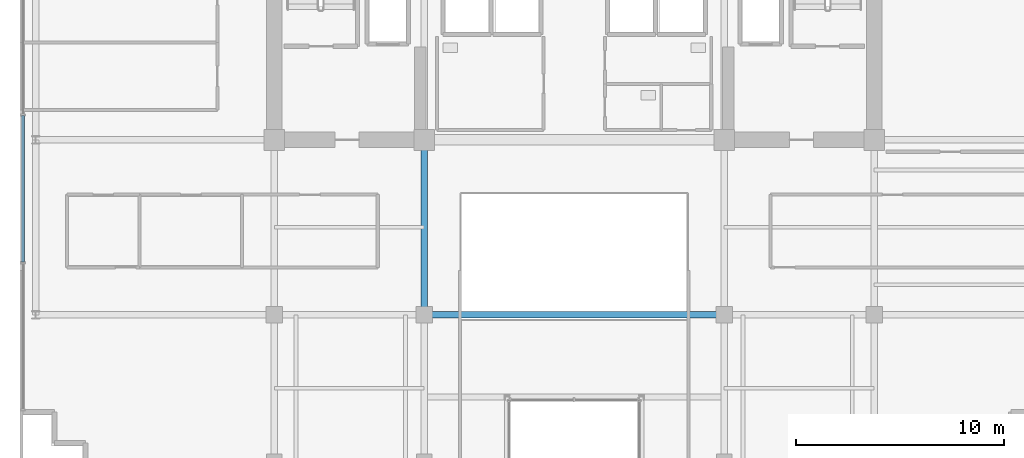
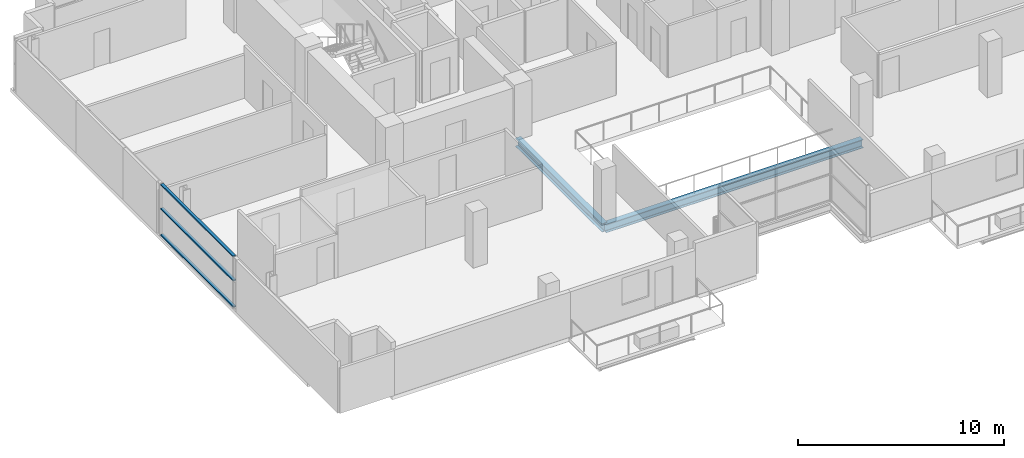
# One storey, part 8 of 25: 3 members, 2 beams, 1 element without a shape of its own.
"""IFC4 building model written with IfcOpenShell, lengths in metres."""

from ifc_helpers import new_model, si_unit, direction, frame, origin, origin_2d, place, context, subcontext, project, spatial, hollow_rectangle, i_section, extrude, source, transform, mapped, material, layer, layer_set, material_profile, profile_set, type_object, element, aggregate, save


model = new_model("IFC4")

# Units and contexts
model_context = context("Model", 3, precision=1e-05, world=origin(), true_north=direction((0.0, 1.0)))
body_context = subcontext(model_context, "Body", "Model", "MODEL_VIEW")
ifc_project = project(units=[si_unit("LENGTHUNIT", "METRE"), si_unit("AREAUNIT", "SQUARE_METRE"), si_unit("VOLUMEUNIT", "CUBIC_METRE"), si_unit("PLANEANGLEUNIT", "RADIAN"), si_unit("MASSUNIT", "GRAM", prefix="KILO")], contexts=[model_context])

# Site, building, storey
site_placement = place(None, origin())
site = spatial("IfcSite", under=ifc_project, at=site_placement, CompositionType="ELEMENT")
building_placement = place(site_placement, origin())
building = spatial("IfcBuilding", under=site, at=building_placement, Name="Zarnakvel Exchange Tower", CompositionType="ELEMENT")
storey_placement = place(building_placement, frame((0.0, 0.0, 169.300048828125)))
storey = spatial("IfcBuildingStorey", under=building, at=storey_placement, Name="L47", CompositionType="ELEMENT", Elevation=169.300048828125)

# Beams
ifc_material_1 = material(Name="Steel S355", Category="steel")
ifc_material_profile_1 = material_profile(ifc_material_1, i_section(OverallWidth=0.300048828125, OverallDepth=0.5, WebThickness=0.014404296875, FlangeThickness=0.028076171875, FilletRadius=0.027099609375, at=origin_2d()))
ifc_profile_set_1 = profile_set([ifc_material_profile_1], Name="Steel S355")
beam_type = type_object("IfcBeamType", Name="G-06", PredefinedType="BEAM", material=ifc_profile_set_1)
beam_1_placement = place(storey_placement, frame((-7.199951171875, -9.60009765625, -0.47509765625), z_axis=(1.0, 0.0, 0.0), x_axis=(0.0, 1.0, 0.0)))
element("IfcBeam", 1, at=beam_1_placement, inside=storey, type_object=beam_type, Name="L47 Tower E-W Frame Beam", PredefinedType="BEAM", context=body_context, shape_type="SweptSolid", body=[
    extrude(i_section(OverallWidth=0.300048828125, OverallDepth=0.5, WebThickness=0.014404296875, FlangeThickness=0.028076171875, FilletRadius=0.027099609375, at=origin_2d()), origin(), (0.0, 0.0, 1.0), 14.39990234375),
])
beam_2_placement = place(storey_placement, frame((-7.199951171875, -9.60009765625, -0.47509765625), z_axis=(0.0, 1.0, 0.0), x_axis=(-1.0, 0.0, 0.0)))
element("IfcBeam", 2, at=beam_2_placement, inside=storey, type_object=beam_type, Name="L47 Tower N-S Frame Beam", PredefinedType="BEAM", context=body_context, shape_type="SweptSolid", body=[
    extrude(i_section(OverallWidth=0.300048828125, OverallDepth=0.5, WebThickness=0.014404296875, FlangeThickness=0.028076171875, FilletRadius=0.027099609375, at=origin_2d()), origin(), (0.0, 0.0, 1.0), 8.400146484375),
])

# Curtain wall, members
ifc_material_2 = material(Name="Architectural Bronze Anodised Aluminium", Category="aluminium")
ifc_layer = layer(ifc_material_2, 0.199951171875)
ifc_layer_set = layer_set([ifc_layer], Name="Architectural Bronze Anodised Aluminium")
curtain_wall_type = type_object("IfcCurtainWallType", Name="CW-04", PredefinedType="NOTDEFINED", material=ifc_layer_set)
curtain_wall_placement = place(storey_placement, origin())
curtain_wall = element("IfcCurtainWall", 3, at=curtain_wall_placement, inside=storey, type_object=curtain_wall_type, Name="L47 Curtain Wall CW-L47-W1 (CW-04)", PredefinedType="NOTDEFINED")
ifc_material_profile_2 = material_profile(ifc_material_2, hollow_rectangle(XDim=0.159912109375, YDim=0.074951171875, WallThickness=0.00390625, at=origin_2d()))
ifc_profile_set_2 = profile_set([ifc_material_profile_2], Name="Architectural Bronze Anodised Aluminium")
member_type = type_object("IfcMemberType", Name="CWT-04", PredefinedType="USERDEFINED", material=ifc_profile_set_2)
shared_shape = source(origin(), body_context, "Body", "SweptSolid", [
    extrude(hollow_rectangle(XDim=0.159912109375, YDim=0.074951171875, WallThickness=0.00390625, at=origin_2d()), origin(), (0.0, 0.0, 1.0), 7.02490234375),
])
member_1_placement = place(storey_placement, frame((-26.4599609375, -7.0625, 0.037353515625), z_axis=(0.0, 1.0, 0.0), x_axis=(-1.0, 0.0, 0.0)))
member_1 = element("IfcMember", 4, at=member_1_placement, type_object=member_type, Name="CW-04 transom 2.1", ObjectType="TRANSOM", PredefinedType="USERDEFINED", context=body_context, shape_type="MappedRepresentation", body=[
    mapped(shared_shape, transform((0.0, 0.0, 0.0), x_axis=(1.0, 0.0, 0.0), y_axis=(0.0, 1.0, 0.0), z_axis=(0.0, 0.0, 1.0), scale=1.0)),
])
member_2_placement = place(storey_placement, frame((-26.4599609375, -7.0625, 1.588623046875), z_axis=(0.0, 1.0, 0.0), x_axis=(-1.0, 0.0, 0.0)))
member_2 = element("IfcMember", 5, at=member_2_placement, type_object=member_type, Name="CW-04 transom 2.2", ObjectType="TRANSOM", PredefinedType="USERDEFINED", context=body_context, shape_type="MappedRepresentation", body=[
    mapped(shared_shape, transform((0.0, 0.0, 0.0), x_axis=(1.0, 0.0, 0.0), y_axis=(0.0, 1.0, 0.0), z_axis=(0.0, 0.0, 1.0), scale=1.0)),
])
member_3_placement = place(storey_placement, frame((-26.4599609375, -7.0625, 3.017333984375), z_axis=(0.0, 1.0, 0.0), x_axis=(-1.0, 0.0, 0.0)))
member_3 = element("IfcMember", 6, at=member_3_placement, type_object=member_type, Name="CW-04 transom 2.3", ObjectType="TRANSOM", PredefinedType="USERDEFINED", context=body_context, shape_type="MappedRepresentation", body=[
    mapped(shared_shape, transform((0.0, 0.0, 0.0), x_axis=(1.0, 0.0, 0.0), y_axis=(0.0, 1.0, 0.0), z_axis=(0.0, 0.0, 1.0), scale=1.0)),
])
aggregate(curtain_wall, [member_1, member_2, member_3])

save(model, "model.ifc")
